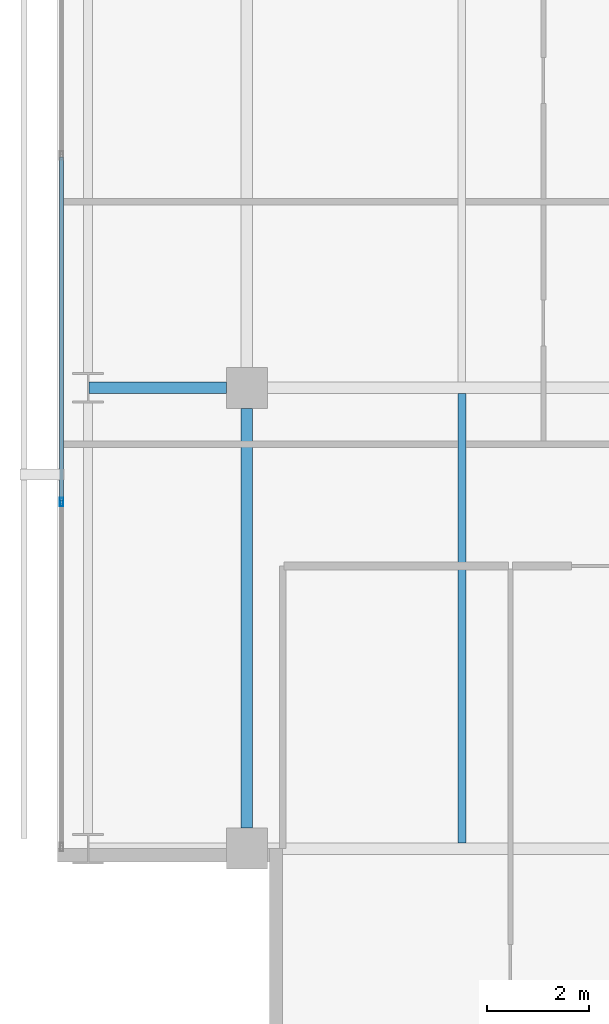
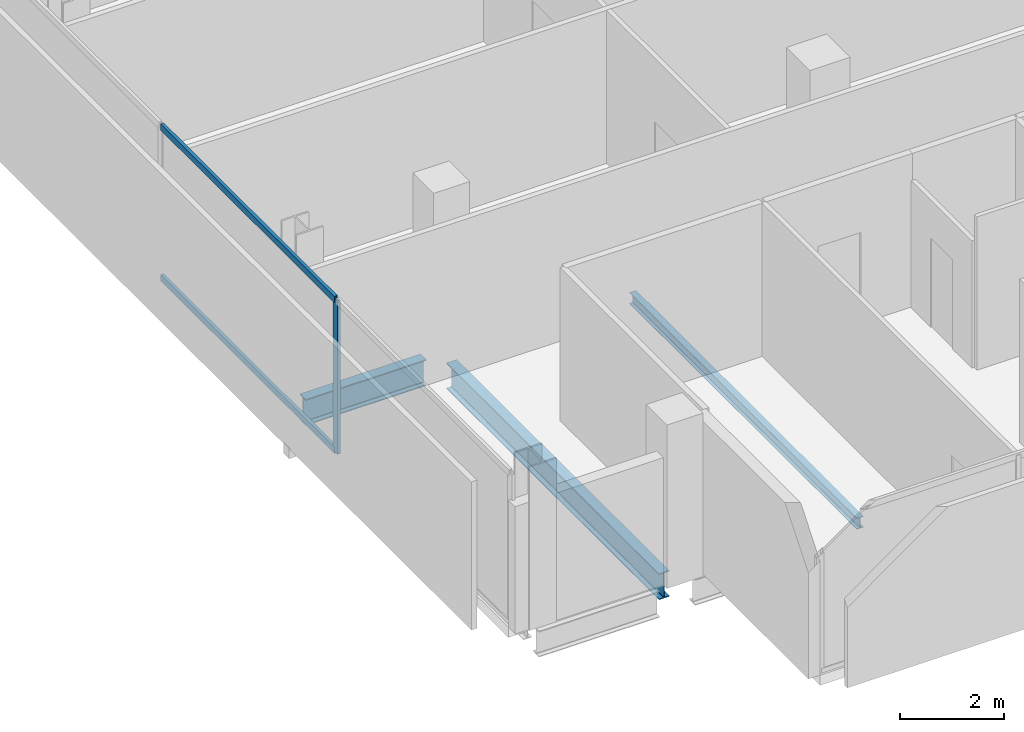
# One storey, part 4 of 34: 3 beams, 3 members, 1 element without a shape of its own.
"""IFC4 building model written with IfcOpenShell, lengths in metres."""

from ifc_helpers import new_model, si_unit, direction, frame, origin, origin_2d, place, context, subcontext, project, spatial, hollow_rectangle, i_section, extrude, material, layer, layer_set, material_profile, profile_set, type_object, element, aggregate, save


model = new_model("IFC4")

# Units and contexts
model_context = context("Model", 3, precision=1e-05, world=origin(), true_north=direction((0.0, 1.0)))
body_context = subcontext(model_context, "Body", "Model", "MODEL_VIEW")
ifc_project = project(units=[si_unit("LENGTHUNIT", "METRE"), si_unit("AREAUNIT", "SQUARE_METRE"), si_unit("VOLUMEUNIT", "CUBIC_METRE"), si_unit("PLANEANGLEUNIT", "RADIAN"), si_unit("MASSUNIT", "GRAM", prefix="KILO")], contexts=[model_context])

# Site, building, storey
site_placement = place(None, origin())
site = spatial("IfcSite", under=ifc_project, at=site_placement, CompositionType="ELEMENT")
building_placement = place(site_placement, origin())
building = spatial("IfcBuilding", under=site, at=building_placement, Name="Maruvema Waterfront Hotel and Observation Tower", CompositionType="ELEMENT")
storey_placement = place(building_placement, frame((0.0, 0.0, 146.64990234375)))
storey = spatial("IfcBuildingStorey", under=building, at=storey_placement, Name="L35", CompositionType="ELEMENT", Elevation=146.64990234375)

# Curtain wall, members
ifc_material_1 = material(Name="Anodised bronze aluminium and solar-control low-E IGU", Category="aluminium")
ifc_layer = layer(ifc_material_1, 0.159912109375, Name="Zone 2 Amber Inner Thermal Curtain Wall System CW-03")
ifc_layer_set = layer_set([ifc_layer], Name="Anodised bronze aluminium and solar-control low-E IGU")
curtain_wall_type = type_object("IfcCurtainWallType", Name="Zone 2 Amber Inner Thermal Curtain Wall System CW-03", PredefinedType="USERDEFINED", material=ifc_layer_set)
curtain_wall_placement = place(storey_placement, origin())
curtain_wall = element("IfcCurtainWall", 1, at=curtain_wall_placement, inside=storey, type_object=curtain_wall_type, Name="L35 Curtain Wall CW-L35-W", ObjectType="UNITISED CURTAIN WALL", PredefinedType="USERDEFINED")
ifc_material_2 = material(Name="Anodised architectural bronze aluminium", Category="aluminium")
ifc_material_profile_1 = material_profile(ifc_material_2, hollow_rectangle(XDim=0.070068359375, YDim=0.14990234375, WallThickness=0.00390625, at=origin_2d()), Name="ALU-T70x150")
ifc_profile_set_1 = profile_set([ifc_material_profile_1], Name="Anodised architectural bronze aluminium")
member_type_1 = type_object("IfcMemberType", Name="Curtain Wall Horizontal Transom ALU-T70x150", PredefinedType="USERDEFINED", material=ifc_profile_set_1)
member_1_placement = place(storey_placement, frame((13.179931640625, 22.50341796875, 0.030029296875), z_axis=(0.0, -1.0, 0.0), x_axis=(1.0, 0.0, 0.0)))
member_1 = element("IfcMember", 2, at=member_1_placement, type_object=member_type_1, Name="CW-03 transom 5.1", ObjectType="TRANSOM", PredefinedType="USERDEFINED", context=body_context, shape_type="SweptSolid", body=[
    extrude(hollow_rectangle(XDim=0.070068359375, YDim=0.14990234375, WallThickness=0.00390625, at=origin_2d()), origin(), (0.0, 0.0, 1.0), 6.706787109375),
])
member_2_placement = place(storey_placement, frame((13.179931640625, 22.50341796875, 3.580078125), z_axis=(0.0, -1.0, 0.0), x_axis=(1.0, 0.0, 0.0)))
member_2 = element("IfcMember", 3, at=member_2_placement, type_object=member_type_1, Name="CW-03 transom 5.2", ObjectType="TRANSOM", PredefinedType="USERDEFINED", context=body_context, shape_type="SweptSolid", body=[
    extrude(hollow_rectangle(XDim=0.070068359375, YDim=0.14990234375, WallThickness=0.00390625, at=origin_2d()), origin(), (0.0, 0.0, 1.0), 6.706787109375),
])
ifc_material_3 = material(Name="Anodised architectural bronze aluminium", Category="aluminium")
ifc_material_profile_2 = material_profile(ifc_material_3, hollow_rectangle(XDim=0.06494140625, YDim=0.1650390625, WallThickness=0.00390625, at=origin_2d()), Name="ALU-M65x165")
ifc_profile_set_2 = profile_set([ifc_material_profile_2], Name="Anodised architectural bronze aluminium")
member_type_2 = type_object("IfcMemberType", Name="Curtain Wall Primary Mullion ALU-M65x165", PredefinedType="MULLION", material=ifc_profile_set_2)
member_3_placement = place(storey_placement, frame((13.179931640625, 15.7666015625, 0.0), z_axis=(0.0, 0.0, 1.0), x_axis=(1.0, 0.0, 0.0)))
member_3 = element("IfcMember", 4, at=member_3_placement, type_object=member_type_2, Name="CW-03 mullion 6", PredefinedType="MULLION", context=body_context, shape_type="SweptSolid", body=[
    extrude(hollow_rectangle(XDim=0.06494140625, YDim=0.1650390625, WallThickness=0.00390625, at=origin_2d()), origin(), (0.0, 0.0, 1.0), 3.610107421875),
])
aggregate(curtain_wall, [member_3, member_1, member_2])

# Beams
ifc_material_4 = material(Name="Steel ASTM A572 Grade 50", Category="steel")
ifc_material_profile_3 = material_profile(ifc_material_4, i_section(OverallWidth=0.22900390625, OverallDepth=0.612060546875, WebThickness=0.011962890625, FlangeThickness=0.01953125, FilletRadius=0.01806640625, at=origin_2d()), Name="W610x125.0")
ifc_profile_set_3 = profile_set([ifc_material_profile_3], Name="Steel ASTM A572 Grade 50")
beam_type_1 = type_object("IfcBeamType", Name="Primary Floor Girder W610x125.0", PredefinedType="BEAM", material=ifc_profile_set_3)
beam_1_placement = place(storey_placement, frame((13.71240234375, 18.0, -0.5458984375), z_axis=(1.0, 0.0, 0.0), x_axis=(0.0, 1.0, 0.0)))
element("IfcBeam", 5, at=beam_1_placement, inside=storey, type_object=beam_type_1, Name="L35 Floor Girder EW-11", PredefinedType="BEAM", context=body_context, shape_type="SweptSolid", body=[
    extrude(i_section(OverallWidth=0.22900390625, OverallDepth=0.612060546875, WebThickness=0.011962890625, FlangeThickness=0.01953125, FilletRadius=0.01806640625, at=origin_2d()), origin(), (0.0, 0.0, 1.0), 2.6875),
])
beam_2_placement = place(storey_placement, frame((16.800048828125, 9.39990234375, -0.5458984375), z_axis=(0.0, 1.0, 0.0), x_axis=(-1.0, 0.0, 0.0)))
element("IfcBeam", 6, at=beam_2_placement, inside=storey, type_object=beam_type_1, Name="L35 Floor Girder NS-05", PredefinedType="BEAM", context=body_context, shape_type="SweptSolid", body=[
    extrude(i_section(OverallWidth=0.22900390625, OverallDepth=0.612060546875, WebThickness=0.011962890625, FlangeThickness=0.01953125, FilletRadius=0.01806640625, at=origin_2d()), origin(), (0.0, 0.0, 1.0), 8.2001953125),
])
ifc_material_5 = material(Name="Steel ASTM A572 Grade 50", Category="steel")
ifc_material_profile_4 = material_profile(ifc_material_5, i_section(OverallWidth=0.14794921875, OverallDepth=0.26611328125, WebThickness=0.007568359375, FlangeThickness=0.012939453125, FilletRadius=0.012939453125, at=origin_2d()), Name="W250x44.8")
ifc_profile_set_4 = profile_set([ifc_material_profile_4], Name="Steel ASTM A572 Grade 50")
beam_type_2 = type_object("IfcBeamType", Name="Secondary Floor Joist W250x44.8", PredefinedType="JOIST", material=ifc_profile_set_4)
beam_3_placement = place(storey_placement, frame((21.0, 9.114501953125, -0.372802734375), z_axis=(0.0, 1.0, 0.0), x_axis=(-1.0, 0.0, 0.0)))
element("IfcBeam", 7, at=beam_3_placement, inside=storey, type_object=beam_type_2, Name="L35 Secondary Floor Joist JS-01", PredefinedType="JOIST", context=body_context, shape_type="SweptSolid", body=[
    extrude(i_section(OverallWidth=0.14794921875, OverallDepth=0.26611328125, WebThickness=0.007568359375, FlangeThickness=0.012939453125, FilletRadius=0.012939453125, at=origin_2d()), origin(), (0.0, 0.0, 1.0), 8.77099609375),
])

save(model, "model.ifc")
